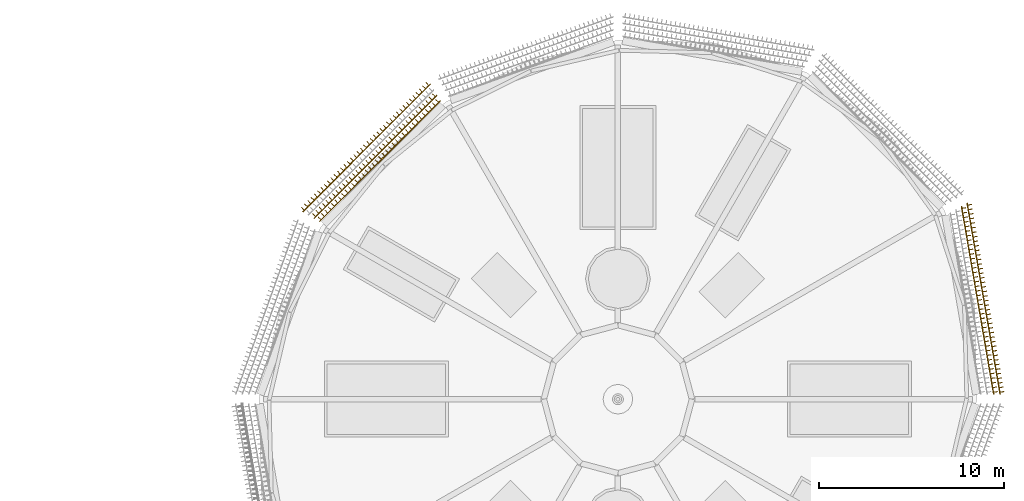
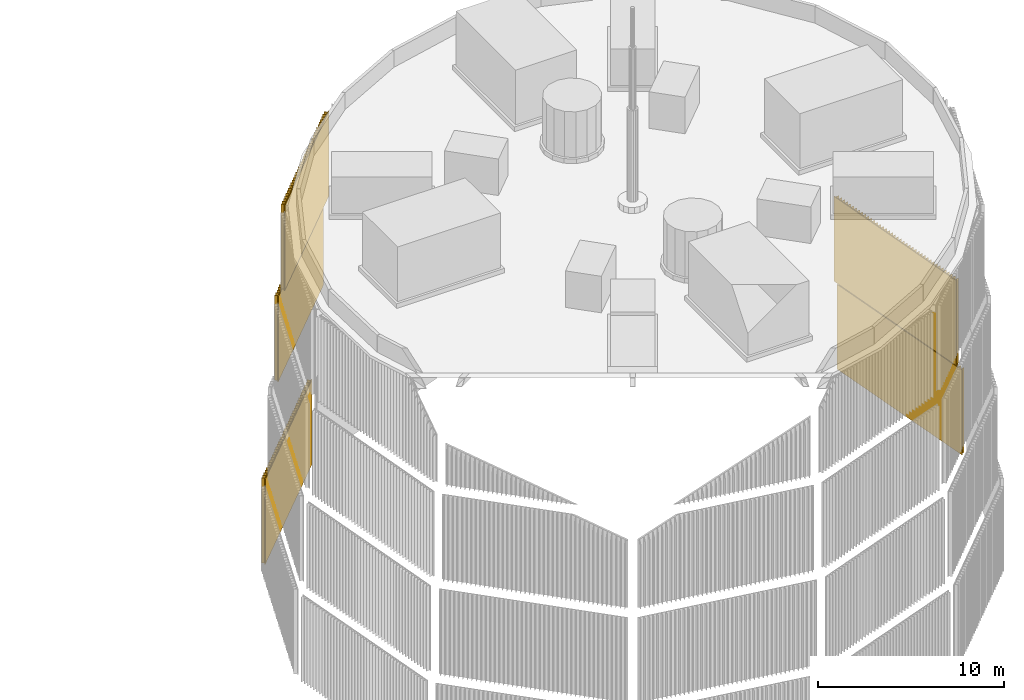
# One storey, part 19 of 24: 5 coverings.
"""IFC4 building model written with IfcOpenShell, lengths in metres."""

import ifcopenshell
import ifcopenshell.guid

model = None  # the IFC model being written
_history = None  # IfcOwnerHistory: only IFC2X3 demands one
_inside = {}  # id of a spatial element -> (the spatial element, [elements in it])
_under = {}  # id of a project, library or spatial element -> (it, [spatial elements below it])
_declared = {}  # id of a project -> (the project, [libraries it declares])
_typed = {}  # id of a type object -> (the type object, [elements of that type])
_made_of = {}  # id of a material, layer set ... -> (it, [elements and type objects made of it])


def new_model(schema):
    """Start an empty IFC model of exactly this schema.

    Asked for "IFC4X3", IfcOpenShell would pick the latest addendum, in which some entities
    have other attributes; the version numbers below select the first issue.
    IFC2X3 requires an IfcOwnerHistory on every rooted entity: one is made here for all.
    """
    global model, _history
    if schema == "IFC4X3":
        model = ifcopenshell.file(schema_version=(4, 3, 0, 0))
    else:
        model = ifcopenshell.file(schema=schema)
    _inside.clear()
    _under.clear()
    _declared.clear()
    _typed.clear()
    _made_of.clear()
    _history = None
    if model.schema == "IFC2X3":
        org = make("IfcOrganization", Name="unknown")
        user = make(
            "IfcPersonAndOrganization",
            ThePerson=make("IfcPerson", FamilyName="unknown"),
            TheOrganization=org,
        )
        app = make(
            "IfcApplication",
            ApplicationDeveloper=org,
            Version="unknown",
            ApplicationFullName="unknown",
            ApplicationIdentifier="unknown",
        )
        _history = make(
            "IfcOwnerHistory",
            OwningUser=user,
            OwningApplication=app,
            ChangeAction="ADDED",
            CreationDate=0,
        )
    return model


def make(cls, **values):
    """One entity of the class cls with the attributes given. An attribute that is None is left unset."""
    return model.create_entity(
        cls, **{name: value for name, value in values.items() if value is not None}
    )


def rooted(cls, **values):
    """An entity with a GlobalId (a new one), such as an element, a storey or a relation."""
    return make(cls, GlobalId=ifcopenshell.guid.new(), OwnerHistory=_history, **values)


def si_unit(unit_type, name, prefix=None):
    """IfcSIUnit, for example si_unit("LENGTHUNIT", "METRE", prefix="MILLI")."""
    return make("IfcSIUnit", UnitType=unit_type, Prefix=prefix, Name=name)


def assignment(units):
    """IfcUnitAssignment: the units of a project."""
    return None if units is None else make("IfcUnitAssignment", Units=units)


def point(xyz):
    """IfcCartesianPoint."""
    return None if xyz is None else make("IfcCartesianPoint", Coordinates=xyz)


def direction(xyz):
    """IfcDirection."""
    return None if xyz is None else make("IfcDirection", DirectionRatios=xyz)


def frame(location, z_axis=None, x_axis=None):
    """IfcAxis2Placement3D, a coordinate frame: its origin and axes. An axis left out is left unset."""
    return make(
        "IfcAxis2Placement3D",
        Location=point(location),
        Axis=direction(z_axis),
        RefDirection=direction(x_axis),
    )


def origin():
    """The frame at (0, 0, 0) with its axes left unset."""
    return frame((0.0, 0.0, 0.0))


def place(relative_to, where):
    """IfcLocalPlacement: puts the frame where relative to a parent placement (None: the world)."""
    return make(
        "IfcLocalPlacement", PlacementRelTo=relative_to, RelativePlacement=where
    )


def context(
    kind, dimensions, precision=None, world=None, true_north=None, identifier=None
):
    """IfcGeometricRepresentationContext, for example the 3D "Model" context."""
    return make(
        "IfcGeometricRepresentationContext",
        ContextIdentifier=identifier,
        ContextType=kind,
        CoordinateSpaceDimension=dimensions,
        Precision=precision,
        WorldCoordinateSystem=world,
        TrueNorth=true_north,
    )


def subcontext(parent, identifier, kind, view, scale=None):
    """IfcGeometricRepresentationSubContext, for example "Body" below "Model"."""
    return make(
        "IfcGeometricRepresentationSubContext",
        ContextIdentifier=identifier,
        ContextType=kind,
        ParentContext=parent,
        TargetScale=scale,
        TargetView=view,
    )


def project(units=None, contexts=None):
    """IfcProject with its units and contexts."""
    return rooted(
        "IfcProject",
        Name="project",
        RepresentationContexts=contexts,
        UnitsInContext=assignment(units),
    )


def spatial(cls, under=None, at=None, **own):
    """A site, building, storey or space (cls), placed at a placement, below another one or the project."""
    s = rooted(cls, ObjectPlacement=at, **own)
    if under is not None:
        _under.setdefault(under.id(), (under, []))[1].append(s)
    return s


def polyline(points):
    """IfcPolyline through the points."""
    return make("IfcPolyline", Points=[point(p) for p in points])


def outline(outer, holes=None, kind="AREA"):
    """IfcArbitraryClosedProfileDef: a profile drawn as a closed curve; with holes, ...WithVoids."""
    if holes is None:
        return make("IfcArbitraryClosedProfileDef", ProfileType=kind, OuterCurve=outer)
    return make(
        "IfcArbitraryProfileDefWithVoids",
        ProfileType=kind,
        OuterCurve=outer,
        InnerCurves=holes,
    )


def extrude(swept, where, along, depth):
    """IfcExtrudedAreaSolid: the profile swept, set in the frame where, extruded along a direction by depth."""
    return make(
        "IfcExtrudedAreaSolid",
        SweptArea=swept,
        Position=where,
        ExtrudedDirection=direction(along),
        Depth=depth,
    )


def shape(context_of_items, identifier, shape_type, items):
    """IfcShapeRepresentation: the items that make up one representation, for example the "Body"."""
    return make(
        "IfcShapeRepresentation",
        ContextOfItems=context_of_items,
        RepresentationIdentifier=identifier,
        RepresentationType=shape_type,
        Items=items,
    )


def material(Name=None, Category=None):
    """IfcMaterial."""
    return make("IfcMaterial", Name=Name, Category=Category)


def made_of(thing, what):
    """Note that an element or type object is made of a material, layer set ...; save() writes the relation."""
    if what is not None:
        _made_of.setdefault(what.id(), (what, []))[1].append(thing)
    return thing


def type_object(cls, material=None, **own):
    """A type object (cls), such as IfcWallType, which elements share."""
    return made_of(rooted(cls, **own), material)


def element(
    cls,
    number,
    at=None,
    inside=None,
    cuts=None,
    type_object=None,
    material=None,
    context=None,
    identifier="Body",
    shape_type=None,
    held_by="IfcProductDefinitionShape",
    body=None,
    shapes=None,
    **own,
):
    """One element of the class cls, such as IfcWall. Its Tag is "e" and its number.

    at: its placement. inside: the storey or other place that contains it. cuts: it is an
    opening in that element (IfcRelVoidsElement). A single representation is given by context,
    identifier, shape_type and body (its items); several are given by shapes. held_by: the class
    of the entity that holds the representations. save() writes the other relations.
    """
    e = rooted(cls, Tag="e%d" % number, ObjectPlacement=at, **own)
    if body is not None:
        shapes = [shape(context, identifier, shape_type, body)]
    if shapes is not None:
        e.Representation = make(held_by, Representations=shapes)
    if inside is not None:
        _inside.setdefault(inside.id(), (inside, []))[1].append(e)
    if cuts is not None:
        rooted(
            "IfcRelVoidsElement", RelatingBuildingElement=cuts, RelatedOpeningElement=e
        )
    if type_object is not None:
        _typed.setdefault(type_object.id(), (type_object, []))[1].append(e)
    return made_of(e, material)


def aggregate(whole, parts):
    """IfcRelAggregates: a whole, such as a stair, and the parts it consists of."""
    return rooted("IfcRelAggregates", RelatingObject=whole, RelatedObjects=parts)


def save(model, path):
    """Write the relations noted so far, then the file.

    IfcRelAggregates (storeys below a building ...), IfcRelContainedInSpatialStructure (elements
    in a storey), IfcRelDefinesByType, IfcRelAssociatesMaterial and IfcRelDeclares: one each for
    every whole, place, type object, material and project.
    """
    for whole, parts in _under.values():
        aggregate(whole, parts)
    for where, things in _inside.values():
        rooted(
            "IfcRelContainedInSpatialStructure",
            RelatedElements=things,
            RelatingStructure=where,
        )
    for kind, things in _typed.values():
        rooted("IfcRelDefinesByType", RelatedObjects=things, RelatingType=kind)
    for what, things in _made_of.values():
        rooted("IfcRelAssociatesMaterial", RelatedObjects=things, RelatingMaterial=what)
    for by, libraries in _declared.values():
        rooted("IfcRelDeclares", RelatingContext=by, RelatedDefinitions=libraries)
    model.write(path)


model = new_model("IFC4")

# Units and contexts
model_context = context("Model", 3, precision=1e-05, world=origin(), true_north=direction((0.0, 1.0)))
body_context = subcontext(model_context, "Body", "Model", "MODEL_VIEW")
ifc_project = project(units=[si_unit("LENGTHUNIT", "METRE"), si_unit("AREAUNIT", "SQUARE_METRE"), si_unit("VOLUMEUNIT", "CUBIC_METRE"), si_unit("PLANEANGLEUNIT", "RADIAN"), si_unit("MASSUNIT", "GRAM", prefix="KILO")], contexts=[model_context])

# Site, building, storey
site_placement = place(None, origin())
site = spatial("IfcSite", under=ifc_project, at=site_placement, CompositionType="ELEMENT")
building_placement = place(site_placement, origin())
building = spatial("IfcBuilding", under=site, at=building_placement, Name="Rimbun Link Towers", CompositionType="ELEMENT")
storey_placement = place(building_placement, frame((0.0, 0.0, 294.89990234375)))
storey = spatial("IfcBuildingStorey", under=building, at=storey_placement, Name="Roof cap", CompositionType="ELEMENT", Elevation=294.89990234375)

# Coverings
ifc_material = material(Name="Terracotta", Category="masonry")
covering_type = type_object("IfcCoveringType", Name="TERRACOTTA CLADDING screen fins", PredefinedType="CLADDING", material=ifc_material)
covering_1_placement = place(storey_placement, frame((0.0, 0.0, -23.087890625)))
element("IfcCovering", 1, at=covering_1_placement, inside=storey, type_object=covering_type, Name="TERRACOTTA CLADDING screen", PredefinedType="CLADDING", context=body_context, shape_type="SweptSolid", body=[
    extrude(outline(polyline([(21.61865234375, 17.0400390625), (21.540771484375, 16.9619140625), (21.3994140625, 17.103515625), (21.3779296875, 17.082275390625), (21.51953125, 16.94091796875), (21.363525390625, 16.784912109375), (21.22216796875, 16.92626953125), (21.200927734375, 16.905029296875), (21.34228515625, 16.763671875), (21.186279296875, 16.607666015625), (21.044921875, 16.7490234375), (21.023681640625, 16.727783203125), (21.165283203125, 16.58642578125), (21.00927734375, 16.4306640625), (20.867919921875, 16.572021484375), (20.8466796875, 16.55078125), (20.988037109375, 16.409423828125), (20.83203125, 16.25341796875), (20.690673828125, 16.39501953125), (20.66943359375, 16.37353515625), (20.810791015625, 16.232177734375), (20.655029296875, 16.076416015625), (20.513427734375, 16.2177734375), (20.4921875, 16.196533203125), (20.6337890625, 16.05517578125), (20.477783203125, 15.899169921875), (20.33642578125, 16.04052734375), (20.315185546875, 16.019287109375), (20.45654296875, 15.8779296875), (20.30078125, 15.721923828125), (20.1591796875, 15.86328125), (20.137939453125, 15.84228515625), (20.279541015625, 15.70068359375), (20.12353515625, 15.544921875), (19.982177734375, 15.686279296875), (19.9609375, 15.6650390625), (20.102294921875, 15.523681640625), (19.9462890625, 15.36767578125), (19.804931640625, 15.509033203125), (19.78369140625, 15.48779296875), (19.92529296875, 15.346435546875), (19.769287109375, 15.190673828125), (19.627685546875, 15.33203125), (19.606689453125, 15.310791015625), (19.748046875, 15.16943359375), (19.592041015625, 15.013427734375), (19.45068359375, 15.15478515625), (19.429443359375, 15.133544921875), (19.57080078125, 14.9921875), (19.4150390625, 14.836181640625), (19.2734375, 14.977783203125), (19.252197265625, 14.95654296875), (19.393798828125, 14.815185546875), (19.23779296875, 14.6591796875), (19.096435546875, 14.800537109375), (19.0751953125, 14.779296875), (19.216552734375, 14.637939453125), (19.060791015625, 14.48193359375), (18.919189453125, 14.623291015625), (18.89794921875, 14.602294921875), (19.039306640625, 14.460693359375), (18.883544921875, 14.3046875), (18.7421875, 14.4462890625), (18.720947265625, 14.425048828125), (18.8623046875, 14.28369140625), (18.706298828125, 14.127685546875), (18.56494140625, 14.26904296875), (18.543701171875, 14.247802734375), (18.685302734375, 14.1064453125), (18.529296875, 13.95068359375), (18.3876953125, 14.092041015625), (18.36669921875, 14.07080078125), (18.508056640625, 13.92919921875), (18.35205078125, 13.7734375), (18.210693359375, 13.914794921875), (18.189453125, 13.8935546875), (18.330810546875, 13.752197265625), (18.1748046875, 13.59619140625), (18.033447265625, 13.73779296875), (18.01220703125, 13.716552734375), (18.15380859375, 13.5751953125), (17.997802734375, 13.419189453125), (17.8564453125, 13.560546875), (17.835205078125, 13.539306640625), (17.9765625, 13.39794921875), (17.82080078125, 13.241943359375), (17.67919921875, 13.38330078125), (17.657958984375, 13.3623046875), (17.79931640625, 13.220703125), (17.6435546875, 13.064697265625), (17.502197265625, 13.206298828125), (17.48095703125, 13.18505859375), (17.622314453125, 13.043701171875), (17.46630859375, 12.8876953125), (17.324951171875, 13.029052734375), (17.3037109375, 13.0078125), (17.4453125, 12.866455078125), (17.289306640625, 12.710693359375), (17.147705078125, 12.85205078125), (17.126708984375, 12.830810546875), (17.26806640625, 12.689208984375), (17.112060546875, 12.533447265625), (16.970703125, 12.6748046875), (16.949462890625, 12.653564453125), (17.0908203125, 12.51220703125), (16.934814453125, 12.356201171875), (16.79345703125, 12.497802734375), (16.772216796875, 12.4765625), (16.913818359375, 12.3349609375), (16.7578125, 12.17919921875), (16.616455078125, 12.320556640625), (16.59521484375, 12.29931640625), (16.736572265625, 12.157958984375), (16.58056640625, 12.001953125), (16.439208984375, 12.143310546875), (16.41796875, 12.122314453125), (16.559326171875, 11.980712890625), (16.403564453125, 11.82470703125), (16.26220703125, 11.96630859375), (16.240966796875, 11.945068359375), (16.38232421875, 11.8037109375), (16.226318359375, 11.647705078125), (16.0849609375, 11.7890625), (16.063720703125, 11.767822265625), (16.205078125, 11.62646484375), (16.04931640625, 11.470458984375), (15.90771484375, 11.612060546875), (15.88671875, 11.5908203125), (16.028076171875, 11.44921875), (15.8720703125, 11.29345703125), (15.730712890625, 11.434814453125), (15.70947265625, 11.41357421875), (15.850830078125, 11.272216796875), (15.69482421875, 11.1162109375), (15.553466796875, 11.2578125), (15.5322265625, 11.236572265625), (15.673583984375, 11.094970703125), (15.517822265625, 10.939208984375), (15.37646484375, 11.08056640625), (15.35498046875, 11.059326171875), (15.49658203125, 10.91796875), (15.340576171875, 10.761962890625), (15.19921875, 10.9033203125), (15.177978515625, 10.882080078125), (15.3193359375, 10.74072265625), (15.16357421875, 10.584716796875), (15.022216796875, 10.726318359375), (15.0009765625, 10.705078125), (15.142333984375, 10.563720703125), (14.986328125, 10.40771484375), (14.844970703125, 10.549072265625), (14.82373046875, 10.52783203125), (14.965087890625, 10.386474609375), (14.80908203125, 10.23046875), (14.667724609375, 10.3720703125), (14.646484375, 10.3505859375), (14.7880859375, 10.209228515625), (14.7099609375, 10.13134765625), (14.7548828125, 10.10546875), (21.64453125, 16.9951171875), (21.61865234375, 17.0400390625)])), origin(), (0.0, 0.0, 1.0), 5.575927734375),
])
covering_2_placement = place(storey_placement, frame((0.0, 0.0, -23.087890625)))
element("IfcCovering", 2, at=covering_2_placement, inside=storey, type_object=covering_type, Name="TERRACOTTA CLADDING screen", PredefinedType="CLADDING", context=body_context, shape_type="SweptSolid", body=[
    extrude(outline(polyline([(52.416259765625, 0.25390625), (52.3974609375, 0.3623046875), (52.594482421875, 0.396484375), (52.58935546875, 0.426025390625), (52.392333984375, 0.39208984375), (52.354736328125, 0.60888671875), (52.552001953125, 0.64306640625), (52.546630859375, 0.672607421875), (52.349609375, 0.638427734375), (52.31201171875, 0.855224609375), (52.50927734375, 0.889404296875), (52.504150390625, 0.9189453125), (52.306884765625, 0.884765625), (52.269287109375, 1.101806640625), (52.466552734375, 1.1357421875), (52.46142578125, 1.165283203125), (52.264404296875, 1.131103515625), (52.226806640625, 1.34814453125), (52.423828125, 1.382080078125), (52.418701171875, 1.411865234375), (52.2216796875, 1.377685546875), (52.18408203125, 1.594482421875), (52.381103515625, 1.628662109375), (52.3759765625, 1.658203125), (52.178955078125, 1.6240234375), (52.141357421875, 1.8408203125), (52.33837890625, 1.875), (52.33349609375, 1.904541015625), (52.13623046875, 1.87060546875), (52.0986328125, 2.08740234375), (52.2958984375, 2.12158203125), (52.290771484375, 2.15087890625), (52.093505859375, 2.116943359375), (52.05615234375, 2.333740234375), (52.253173828125, 2.367919921875), (52.248046875, 2.3974609375), (52.05078125, 2.36328125), (52.013427734375, 2.580078125), (52.21044921875, 2.6142578125), (52.205322265625, 2.643798828125), (52.00830078125, 2.60986328125), (51.970703125, 2.82666015625), (52.167724609375, 2.860595703125), (52.16259765625, 2.890380859375), (51.965576171875, 2.856201171875), (51.927978515625, 3.072998046875), (52.125, 3.107177734375), (52.1201171875, 3.13671875), (51.9228515625, 3.1025390625), (51.885498046875, 3.3193359375), (52.08251953125, 3.353515625), (52.077392578125, 3.383056640625), (51.880126953125, 3.34912109375), (51.8427734375, 3.56591796875), (52.039794921875, 3.60009765625), (52.03466796875, 3.629638671875), (51.837646484375, 3.595458984375), (51.800048828125, 3.812255859375), (51.9970703125, 3.846435546875), (51.991943359375, 3.8759765625), (51.794921875, 3.841796875), (51.75732421875, 4.05859375), (51.954345703125, 4.0927734375), (51.94921875, 4.122314453125), (51.752197265625, 4.08837890625), (51.714599609375, 4.30517578125), (51.91162109375, 4.339111328125), (51.906494140625, 4.368896484375), (51.70947265625, 4.334716796875), (51.672119140625, 4.551513671875), (51.869140625, 4.585693359375), (51.864013671875, 4.615234375), (51.6669921875, 4.5810546875), (51.62939453125, 4.798095703125), (51.826416015625, 4.83203125), (51.8212890625, 4.861572265625), (51.624267578125, 4.827392578125), (51.586669921875, 5.04443359375), (51.78369140625, 5.07861328125), (51.778564453125, 5.108154296875), (51.58154296875, 5.073974609375), (51.5439453125, 5.290771484375), (51.740966796875, 5.324951171875), (51.73583984375, 5.3544921875), (51.538818359375, 5.3203125), (51.501220703125, 5.537109375), (51.698486328125, 5.5712890625), (51.693115234375, 5.600830078125), (51.49609375, 5.56689453125), (51.45849609375, 5.78369140625), (51.65576171875, 5.81787109375), (51.650634765625, 5.847412109375), (51.45361328125, 5.813232421875), (51.416015625, 6.030029296875), (51.613037109375, 6.064208984375), (51.60791015625, 6.09375), (51.410888671875, 6.0595703125), (51.373291015625, 6.276611328125), (51.5703125, 6.310546875), (51.565185546875, 6.340087890625), (51.3681640625, 6.305908203125), (51.33056640625, 6.52294921875), (51.527587890625, 6.556884765625), (51.5224609375, 6.586669921875), (51.325439453125, 6.552490234375), (51.287841796875, 6.769287109375), (51.485107421875, 6.803466796875), (51.47998046875, 6.8330078125), (51.28271484375, 6.798828125), (51.2451171875, 7.015625), (51.4423828125, 7.0498046875), (51.437255859375, 7.079345703125), (51.239990234375, 7.04541015625), (51.20263671875, 7.26220703125), (51.399658203125, 7.29638671875), (51.39453125, 7.32568359375), (51.197509765625, 7.291748046875), (51.159912109375, 7.508544921875), (51.35693359375, 7.542724609375), (51.351806640625, 7.572265625), (51.15478515625, 7.5380859375), (51.1171875, 7.7548828125), (51.314208984375, 7.7890625), (51.30908203125, 7.818603515625), (51.112060546875, 7.784423828125), (51.074462890625, 8.00146484375), (51.271484375, 8.035400390625), (51.2666015625, 8.065185546875), (51.0693359375, 8.031005859375), (51.031982421875, 8.247802734375), (51.22900390625, 8.281982421875), (51.223876953125, 8.3115234375), (51.026611328125, 8.27734375), (50.9892578125, 8.494140625), (51.186279296875, 8.5283203125), (51.18115234375, 8.557861328125), (50.984130859375, 8.523681640625), (50.946533203125, 8.740478515625), (51.1435546875, 8.77490234375), (51.138427734375, 8.80419921875), (50.94140625, 8.770263671875), (50.90380859375, 8.987060546875), (51.100830078125, 9.021240234375), (51.095703125, 9.05078125), (50.898681640625, 9.0166015625), (50.861083984375, 9.2333984375), (51.05810546875, 9.267578125), (51.052978515625, 9.297119140625), (50.85595703125, 9.262939453125), (50.818603515625, 9.47998046875), (51.015380859375, 9.513916015625), (51.010498046875, 9.543701171875), (50.8134765625, 9.509521484375), (50.77587890625, 9.726318359375), (50.972900390625, 9.760498046875), (50.9677734375, 9.7900390625), (50.770751953125, 9.755859375), (50.733154296875, 9.97265625), (50.93017578125, 10.0068359375), (50.925048828125, 10.036376953125), (50.72802734375, 10.002197265625), (50.6904296875, 10.21923828125), (50.887451171875, 10.25341796875), (50.88232421875, 10.28271484375), (50.685302734375, 10.248779296875), (50.647705078125, 10.465576171875), (50.8447265625, 10.499755859375), (50.839599609375, 10.529296875), (50.642578125, 10.4951171875), (50.623779296875, 10.603515625), (50.577880859375, 10.576904296875), (52.365478515625, 0.25390625), (52.416259765625, 0.25390625)])), origin(), (0.0, 0.0, 1.0), 5.575927734375),
])
covering_3_placement = place(storey_placement, frame((0.0, 0.0, -17.087890625)))
element("IfcCovering", 3, at=covering_3_placement, inside=storey, type_object=covering_type, Name="TERRACOTTA CLADDING screen", PredefinedType="CLADDING", context=body_context, shape_type="SweptSolid", body=[
    extrude(outline(polyline([(52.066162109375, 0.25390625), (52.047607421875, 0.36328125), (52.24462890625, 0.397216796875), (52.239501953125, 0.4267578125), (52.04248046875, 0.392822265625), (52.0048828125, 0.611572265625), (52.201904296875, 0.645263671875), (52.197021484375, 0.6748046875), (51.999755859375, 0.64111328125), (51.96240234375, 0.859619140625), (52.159423828125, 0.893310546875), (52.154296875, 0.923095703125), (51.957275390625, 0.88916015625), (51.919921875, 1.10791015625), (52.116943359375, 1.1416015625), (52.11181640625, 1.171142578125), (51.914794921875, 1.13720703125), (51.877197265625, 1.35595703125), (52.07421875, 1.389892578125), (52.069091796875, 1.419189453125), (51.8720703125, 1.385498046875), (51.834716796875, 1.60400390625), (52.03173828125, 1.637939453125), (52.026611328125, 1.66748046875), (51.82958984375, 1.6337890625), (51.7919921875, 1.852294921875), (51.9892578125, 1.885986328125), (51.984130859375, 1.91552734375), (51.787109375, 1.8818359375), (51.74951171875, 2.100341796875), (51.946533203125, 2.13427734375), (51.94140625, 2.163818359375), (51.744384765625, 2.1298828125), (51.706787109375, 2.3486328125), (51.904052734375, 2.38232421875), (51.89892578125, 2.412109375), (51.701904296875, 2.378173828125), (51.664306640625, 2.5966796875), (51.861572265625, 2.630615234375), (51.8564453125, 2.66015625), (51.6591796875, 2.626220703125), (51.621826171875, 2.844970703125), (51.81884765625, 2.878662109375), (51.813720703125, 2.908203125), (51.61669921875, 2.87451171875), (51.5791015625, 3.093017578125), (51.7763671875, 3.126953125), (51.771240234375, 3.156494140625), (51.57421875, 3.12255859375), (51.53662109375, 3.34130859375), (51.733642578125, 3.375), (51.728759765625, 3.404541015625), (51.531494140625, 3.370849609375), (51.494140625, 3.58935546875), (51.691162109375, 3.623291015625), (51.68603515625, 3.65283203125), (51.489013671875, 3.618896484375), (51.451416015625, 3.83740234375), (51.648681640625, 3.871337890625), (51.6435546875, 3.90087890625), (51.4462890625, 3.8671875), (51.408935546875, 4.085693359375), (51.60595703125, 4.119384765625), (51.60107421875, 4.149169921875), (51.40380859375, 4.115234375), (51.3662109375, 4.333984375), (51.5634765625, 4.36767578125), (51.558349609375, 4.397216796875), (51.361328125, 4.36328125), (51.32373046875, 4.58203125), (51.52099609375, 4.61572265625), (51.515869140625, 4.6455078125), (51.318603515625, 4.611572265625), (51.28125, 4.830078125), (51.478271484375, 4.864013671875), (51.47314453125, 4.8935546875), (51.276123046875, 4.85986328125), (51.238525390625, 5.078369140625), (51.435791015625, 5.1123046875), (51.4306640625, 5.1416015625), (51.233642578125, 5.10791015625), (51.196044921875, 5.326416015625), (51.393310546875, 5.3603515625), (51.38818359375, 5.389892578125), (51.19091796875, 5.356201171875), (51.153564453125, 5.57470703125), (51.3505859375, 5.6083984375), (51.345458984375, 5.637939453125), (51.1484375, 5.604248046875), (51.11083984375, 5.82275390625), (51.30810546875, 5.856689453125), (51.302978515625, 5.88623046875), (51.105712890625, 5.852294921875), (51.068359375, 6.071044921875), (51.265380859375, 6.104736328125), (51.260498046875, 6.134521484375), (51.063232421875, 6.1005859375), (51.02587890625, 6.319091796875), (51.222900390625, 6.35302734375), (51.2177734375, 6.382568359375), (51.020751953125, 6.3486328125), (50.983154296875, 6.5673828125), (51.180419921875, 6.60107421875), (51.17529296875, 6.630615234375), (50.97802734375, 6.596923828125), (50.940673828125, 6.8154296875), (51.1376953125, 6.849365234375), (51.1328125, 6.87890625), (50.935546875, 6.844970703125), (50.898193359375, 7.063720703125), (51.09521484375, 7.097412109375), (51.090087890625, 7.126953125), (50.89306640625, 7.09326171875), (50.85546875, 7.311767578125), (51.052490234375, 7.345703125), (51.047607421875, 7.375244140625), (50.850341796875, 7.34130859375), (50.81298828125, 7.559814453125), (51.010009765625, 7.59375), (51.0048828125, 7.623291015625), (50.807861328125, 7.589599609375), (50.770263671875, 7.80810546875), (50.967529296875, 7.841796875), (50.96240234375, 7.87158203125), (50.765380859375, 7.837646484375), (50.727783203125, 8.056396484375), (50.9248046875, 8.090087890625), (50.919921875, 8.11962890625), (50.72265625, 8.085693359375), (50.685302734375, 8.304443359375), (50.88232421875, 8.338134765625), (50.877197265625, 8.367919921875), (50.68017578125, 8.333984375), (50.642578125, 8.552490234375), (50.839599609375, 8.58642578125), (50.834716796875, 8.615966796875), (50.6376953125, 8.582275390625), (50.60009765625, 8.80078125), (50.797119140625, 8.834716796875), (50.7919921875, 8.864013671875), (50.594970703125, 8.830322265625), (50.5576171875, 9.048828125), (50.754638671875, 9.082763671875), (50.74951171875, 9.1123046875), (50.552490234375, 9.07861328125), (50.514892578125, 9.297119140625), (50.7119140625, 9.330810546875), (50.70703125, 9.360595703125), (50.509765625, 9.32666015625), (50.472412109375, 9.545166015625), (50.66943359375, 9.5791015625), (50.664306640625, 9.608642578125), (50.46728515625, 9.57470703125), (50.4296875, 9.79345703125), (50.626953125, 9.8271484375), (50.621826171875, 9.856689453125), (50.4248046875, 9.822998046875), (50.38720703125, 10.04150390625), (50.584228515625, 10.075439453125), (50.579345703125, 10.10498046875), (50.382080078125, 10.071044921875), (50.344482421875, 10.289794921875), (50.541748046875, 10.323486328125), (50.53662109375, 10.35302734375), (50.339599609375, 10.3193359375), (50.32080078125, 10.4287109375), (50.274658203125, 10.40185546875), (52.015380859375, 0.25390625), (52.066162109375, 0.25390625)])), origin(), (0.0, 0.0, 1.0), 5.575927734375),
])
covering_4_placement = place(storey_placement, frame((0.0, 0.0, -11.087890625)))
element("IfcCovering", 4, at=covering_4_placement, inside=storey, type_object=covering_type, Name="TERRACOTTA CLADDING screen", PredefinedType="CLADDING", context=body_context, shape_type="SweptSolid", body=[
    extrude(outline(polyline([(21.968505859375, 16.433837890625), (21.889404296875, 16.3544921875), (21.747802734375, 16.495849609375), (21.726806640625, 16.474609375), (21.8681640625, 16.333251953125), (21.709716796875, 16.1748046875), (21.568115234375, 16.316162109375), (21.546875, 16.294921875), (21.688232421875, 16.153564453125), (21.52978515625, 15.994873046875), (21.38818359375, 16.13623046875), (21.3671875, 16.114990234375), (21.508544921875, 15.9736328125), (21.35009765625, 15.815185546875), (21.20849609375, 15.95654296875), (21.187255859375, 15.935302734375), (21.328857421875, 15.7939453125), (21.170166015625, 15.63525390625), (21.02880859375, 15.776611328125), (21.007568359375, 15.755615234375), (21.14892578125, 15.614013671875), (20.990478515625, 15.45556640625), (20.84912109375, 15.596923828125), (20.82763671875, 15.57568359375), (20.96923828125, 15.434326171875), (20.810546875, 15.275634765625), (20.669189453125, 15.4169921875), (20.64794921875, 15.39599609375), (20.789306640625, 15.25439453125), (20.630859375, 15.095947265625), (20.489501953125, 15.2373046875), (20.46826171875, 15.216064453125), (20.609619140625, 15.07470703125), (20.450927734375, 14.916015625), (20.3095703125, 15.0576171875), (20.288330078125, 15.036376953125), (20.4296875, 14.89501953125), (20.271240234375, 14.736328125), (20.1298828125, 14.877685546875), (20.108642578125, 14.8564453125), (20.25, 14.715087890625), (20.09130859375, 14.556396484375), (19.949951171875, 14.697998046875), (19.9287109375, 14.6767578125), (20.0703125, 14.535400390625), (19.91162109375, 14.376708984375), (19.770263671875, 14.518310546875), (19.7490234375, 14.496826171875), (19.890380859375, 14.35546875), (19.731689453125, 14.197021484375), (19.59033203125, 14.33837890625), (19.569091796875, 14.317138671875), (19.710693359375, 14.17578125), (19.552001953125, 14.01708984375), (19.41064453125, 14.15869140625), (19.389404296875, 14.137451171875), (19.53076171875, 13.995849609375), (19.372314453125, 13.83740234375), (19.230712890625, 13.978759765625), (19.209716796875, 13.95751953125), (19.35107421875, 13.816162109375), (19.1923828125, 13.65771484375), (19.051025390625, 13.799072265625), (19.02978515625, 13.77783203125), (19.171142578125, 13.63623046875), (19.0126953125, 13.477783203125), (18.87109375, 13.619140625), (18.85009765625, 13.597900390625), (18.991455078125, 13.45654296875), (18.832763671875, 13.298095703125), (18.69140625, 13.439453125), (18.670166015625, 13.418212890625), (18.8115234375, 13.27685546875), (18.653076171875, 13.1181640625), (18.51171875, 13.259521484375), (18.490478515625, 13.23828125), (18.6318359375, 13.096923828125), (18.47314453125, 12.9384765625), (18.331787109375, 13.079833984375), (18.310546875, 13.05859375), (18.451904296875, 12.917236328125), (18.29345703125, 12.758544921875), (18.152099609375, 12.89990234375), (18.130859375, 12.87890625), (18.272216796875, 12.7373046875), (18.11376953125, 12.578857421875), (17.97216796875, 12.72021484375), (17.950927734375, 12.698974609375), (18.09228515625, 12.5576171875), (17.933837890625, 12.39892578125), (17.79248046875, 12.540283203125), (17.771240234375, 12.519287109375), (17.91259765625, 12.377685546875), (17.754150390625, 12.21923828125), (17.612548828125, 12.360595703125), (17.59130859375, 12.33935546875), (17.73291015625, 12.197998046875), (17.57421875, 12.039306640625), (17.432861328125, 12.180908203125), (17.41162109375, 12.15966796875), (17.552978515625, 12.018310546875), (17.39453125, 11.859619140625), (17.253173828125, 12.0009765625), (17.231689453125, 11.979736328125), (17.373291015625, 11.83837890625), (17.214599609375, 11.6796875), (17.0732421875, 11.8212890625), (17.052001953125, 11.800048828125), (17.193603515625, 11.65869140625), (17.034912109375, 11.5), (16.8935546875, 11.641357421875), (16.872314453125, 11.6201171875), (17.013671875, 11.478759765625), (16.85498046875, 11.3203125), (16.713623046875, 11.461669921875), (16.6923828125, 11.4404296875), (16.833984375, 11.299072265625), (16.67529296875, 11.140380859375), (16.533935546875, 11.28173828125), (16.5126953125, 11.260498046875), (16.654052734375, 11.119140625), (16.49560546875, 10.960693359375), (16.35400390625, 11.10205078125), (16.3330078125, 11.080810546875), (16.474365234375, 10.939453125), (16.315673828125, 10.78076171875), (16.17431640625, 10.92236328125), (16.153076171875, 10.90087890625), (16.29443359375, 10.759521484375), (16.135986328125, 10.60107421875), (15.994384765625, 10.742431640625), (15.973388671875, 10.72119140625), (16.11474609375, 10.579833984375), (15.9560546875, 10.421142578125), (15.814697265625, 10.562744140625), (15.79345703125, 10.54150390625), (15.934814453125, 10.39990234375), (15.7763671875, 10.241455078125), (15.635009765625, 10.3828125), (15.61376953125, 10.36181640625), (15.755126953125, 10.22021484375), (15.596435546875, 10.061767578125), (15.455078125, 10.203125), (15.433837890625, 10.181884765625), (15.5751953125, 10.040283203125), (15.416748046875, 9.8818359375), (15.275390625, 10.023193359375), (15.254150390625, 10.002197265625), (15.3955078125, 9.860595703125), (15.316162109375, 9.781494140625), (15.361083984375, 9.755615234375), (21.994384765625, 16.388916015625), (21.968505859375, 16.433837890625)])), origin(), (0.0, 0.0, 1.0), 5.575927734375),
])
covering_5_placement = place(storey_placement, frame((0.0, 0.0, -5.087890625)))
element("IfcCovering", 5, at=covering_5_placement, inside=storey, type_object=covering_type, Name="TERRACOTTA CLADDING screen", PredefinedType="CLADDING", context=body_context, shape_type="SweptSolid", body=[
    extrude(outline(polyline([(22.1435546875, 16.130615234375), (22.063720703125, 16.05078125), (21.922119140625, 16.192138671875), (21.90087890625, 16.1708984375), (22.04248046875, 16.029541015625), (21.88232421875, 15.869384765625), (21.740966796875, 16.010986328125), (21.7197265625, 15.989501953125), (21.861083984375, 15.84814453125), (21.701171875, 15.688232421875), (21.559814453125, 15.82958984375), (21.53857421875, 15.808349609375), (21.679931640625, 15.6669921875), (21.52001953125, 15.507080078125), (21.37841796875, 15.6484375), (21.357421875, 15.627197265625), (21.498779296875, 15.48583984375), (21.338623046875, 15.32568359375), (21.197265625, 15.46728515625), (21.176025390625, 15.446044921875), (21.3173828125, 15.304443359375), (21.157470703125, 15.14453125), (21.01611328125, 15.285888671875), (20.994873046875, 15.2646484375), (21.13623046875, 15.123291015625), (20.976318359375, 14.96337890625), (20.834716796875, 15.104736328125), (20.813720703125, 15.08349609375), (20.955078125, 14.942138671875), (20.794921875, 14.781982421875), (20.653564453125, 14.923583984375), (20.63232421875, 14.90234375), (20.773681640625, 14.7607421875), (20.61376953125, 14.600830078125), (20.472412109375, 14.7421875), (20.451171875, 14.720947265625), (20.592529296875, 14.57958984375), (20.4326171875, 14.419677734375), (20.291015625, 14.56103515625), (20.27001953125, 14.539794921875), (20.411376953125, 14.3984375), (20.251220703125, 14.23828125), (20.10986328125, 14.3798828125), (20.088623046875, 14.358642578125), (20.22998046875, 14.217041015625), (20.070068359375, 14.05712890625), (19.9287109375, 14.198486328125), (19.907470703125, 14.17724609375), (20.048828125, 14.035888671875), (19.888916015625, 13.8759765625), (19.747314453125, 14.017333984375), (19.726318359375, 13.99609375), (19.86767578125, 13.854736328125), (19.70751953125, 13.694580078125), (19.566162109375, 13.836181640625), (19.544921875, 13.81494140625), (19.686279296875, 13.67333984375), (19.5263671875, 13.513427734375), (19.385009765625, 13.65478515625), (19.36376953125, 13.633544921875), (19.505126953125, 13.4921875), (19.34521484375, 13.332275390625), (19.20361328125, 13.4736328125), (19.1826171875, 13.452392578125), (19.323974609375, 13.31103515625), (19.163818359375, 13.15087890625), (19.0224609375, 13.29248046875), (19.001220703125, 13.271240234375), (19.142578125, 13.1298828125), (18.982666015625, 12.9697265625), (18.84130859375, 13.111083984375), (18.820068359375, 13.08984375), (18.96142578125, 12.948486328125), (18.801513671875, 12.78857421875), (18.66015625, 12.929931640625), (18.638916015625, 12.90869140625), (18.7802734375, 12.767333984375), (18.6201171875, 12.607421875), (18.478759765625, 12.748779296875), (18.45751953125, 12.7275390625), (18.59912109375, 12.586181640625), (18.43896484375, 12.426025390625), (18.297607421875, 12.5673828125), (18.2763671875, 12.54638671875), (18.417724609375, 12.40478515625), (18.2578125, 12.244873046875), (18.116455078125, 12.38623046875), (18.09521484375, 12.364990234375), (18.236572265625, 12.2236328125), (18.07666015625, 12.063720703125), (17.93505859375, 12.205078125), (17.913818359375, 12.183837890625), (18.055419921875, 12.04248046875), (17.895263671875, 11.88232421875), (17.75390625, 12.023681640625), (17.732666015625, 12.002685546875), (17.8740234375, 11.861083984375), (17.714111328125, 11.701171875), (17.57275390625, 11.842529296875), (17.551513671875, 11.8212890625), (17.69287109375, 11.679931640625), (17.532958984375, 11.52001953125), (17.391357421875, 11.661376953125), (17.3701171875, 11.64013671875), (17.51171875, 11.498779296875), (17.3515625, 11.338623046875), (17.210205078125, 11.47998046875), (17.18896484375, 11.458984375), (17.330322265625, 11.3173828125), (17.17041015625, 11.157470703125), (17.029052734375, 11.298828125), (17.0078125, 11.277587890625), (17.149169921875, 11.13623046875), (16.9892578125, 10.976318359375), (16.84765625, 11.11767578125), (16.826416015625, 11.096435546875), (16.968017578125, 10.955078125), (16.807861328125, 10.794921875), (16.66650390625, 10.936279296875), (16.645263671875, 10.915283203125), (16.78662109375, 10.773681640625), (16.626708984375, 10.61376953125), (16.4853515625, 10.755126953125), (16.464111328125, 10.73388671875), (16.60546875, 10.592529296875), (16.445556640625, 10.4326171875), (16.303955078125, 10.573974609375), (16.28271484375, 10.552734375), (16.42431640625, 10.411376953125), (16.26416015625, 10.251220703125), (16.122802734375, 10.392578125), (16.1015625, 10.37158203125), (16.242919921875, 10.22998046875), (16.0830078125, 10.070068359375), (15.941650390625, 10.21142578125), (15.92041015625, 10.190185546875), (16.061767578125, 10.048828125), (15.90185546875, 9.888916015625), (15.760498046875, 10.0302734375), (15.739013671875, 10.009033203125), (15.880615234375, 9.86767578125), (15.720458984375, 9.70751953125), (15.5791015625, 9.84912109375), (15.557861328125, 9.827880859375), (15.69921875, 9.686279296875), (15.619384765625, 9.6064453125), (15.664306640625, 9.58056640625), (22.16943359375, 16.085693359375), (22.1435546875, 16.130615234375)])), origin(), (0.0, 0.0, 1.0), 5.575927734375),
])

save(model, "model.ifc")
